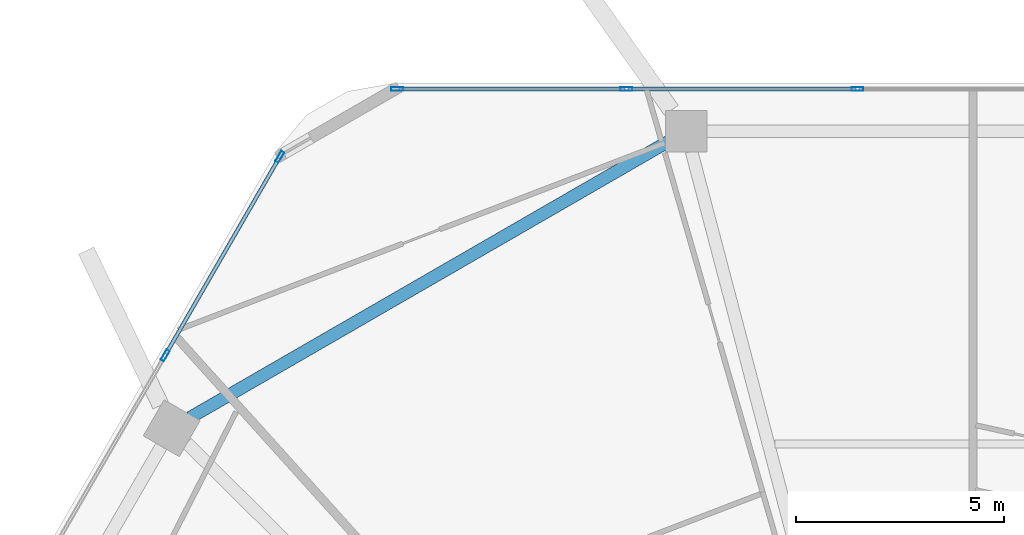
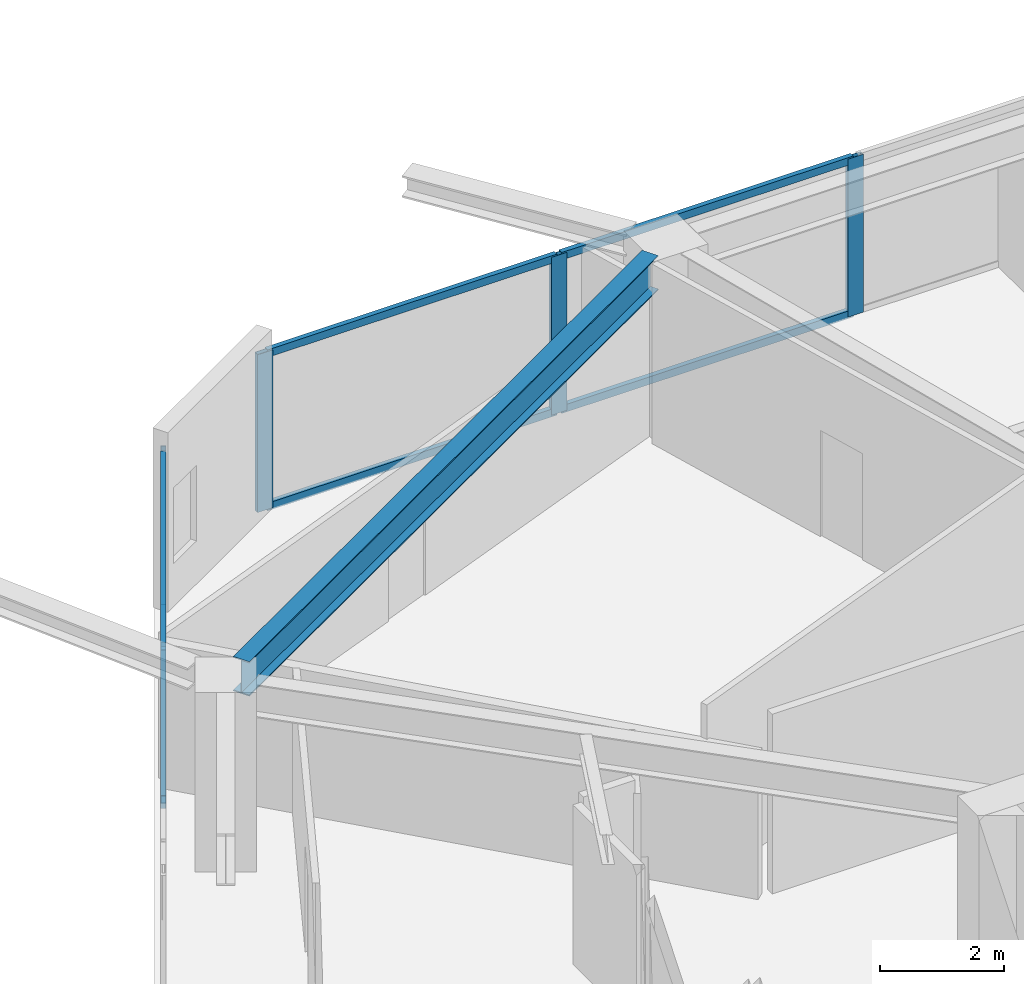
# One storey, part 13 of 26: 11 members, 1 beam, 2 elements without a shape of their own.
"""IFC4 building model written with IfcOpenShell, lengths in metres."""

from ifc_helpers import new_model, si_unit, direction, frame, origin, origin_2d, place, context, subcontext, project, spatial, hollow_rectangle, i_section, extrude, material, material_profile, profile_set, type_object, element, aggregate, save


model = new_model("IFC4")

# Units and contexts
model_context = context("Model", 3, precision=1e-05, world=origin(), true_north=direction((0.0, 1.0)))
body_context = subcontext(model_context, "Body", "Model", "MODEL_VIEW")
ifc_project = project(units=[si_unit("LENGTHUNIT", "METRE"), si_unit("AREAUNIT", "SQUARE_METRE"), si_unit("VOLUMEUNIT", "CUBIC_METRE"), si_unit("PLANEANGLEUNIT", "RADIAN"), si_unit("MASSUNIT", "GRAM", prefix="KILO")], contexts=[model_context])

# Site, building, storey
site_placement = place(None, origin())
site = spatial("IfcSite", under=ifc_project, at=site_placement, CompositionType="ELEMENT")
building_placement = place(site_placement, origin())
building = spatial("IfcBuilding", under=site, at=building_placement, Name="Zuhravey Tower", CompositionType="ELEMENT")
storey_placement = place(building_placement, frame((0.0, 0.0, 158.0)))
storey = spatial("IfcBuildingStorey", under=building, at=storey_placement, Name="L39", CompositionType="ELEMENT", Elevation=158.0)

# Curtain wall, members
ifc_material_1 = material(Name="Thermally broken anodised aluminium", Category="aluminium")
curtain_wall_type = type_object("IfcCurtainWallType", Name="Zone 1-2 Residential Curtain Wall CW3", PredefinedType="NOTDEFINED", material=ifc_material_1)
curtain_wall_1_placement = place(storey_placement, origin())
curtain_wall_1 = element("IfcCurtainWall", 1, at=curtain_wall_1_placement, inside=storey, type_object=curtain_wall_type, Name="L39 CW3 CW-L39-F3-1", PredefinedType="NOTDEFINED")
ifc_material_2 = material(Name="Anodised aluminium", Category="aluminium")
ifc_material_profile_1 = material_profile(ifc_material_2, hollow_rectangle(XDim=0.090087890625, YDim=0.284912109375, WallThickness=0.0048828125, at=origin_2d()), Name="ALU-RHS-90x285x5")
ifc_profile_set_1 = profile_set([ifc_material_profile_1], Name="Anodised aluminium")
member_type_1 = type_object("IfcMemberType", Name="Curtain-Wall Mullion 90x180", PredefinedType="MULLION", material=ifc_profile_set_1)
member_1_placement = place(storey_placement, frame((16.6171875, 52.7939453125, 0.0), z_axis=(0.0, 0.0, 1.0), x_axis=(-0.866025138215, 0.500000459979, 0.0)))
member_1 = element("IfcMember", 2, at=member_1_placement, type_object=member_type_1, Name="CW3 mullion 5", PredefinedType="MULLION", context=body_context, shape_type="SweptSolid", body=[
    extrude(hollow_rectangle(XDim=0.090087890625, YDim=0.284912109375, WallThickness=0.0048828125, at=origin_2d()), origin(), (0.0, 0.0, 1.0), 3.1220703125),
])
member_2_placement = place(storey_placement, frame((19.36669921875, 57.556640625, 0.0), z_axis=(0.0, 0.0, 1.0), x_axis=(-0.866025138215, 0.500000459979, 0.0)))
member_2 = element("IfcMember", 3, at=member_2_placement, type_object=member_type_1, Name="CW3 mullion 6", PredefinedType="MULLION", context=body_context, shape_type="SweptSolid", body=[
    extrude(hollow_rectangle(XDim=0.090087890625, YDim=0.284912109375, WallThickness=0.0048828125, at=origin_2d()), origin(), (0.0, 0.0, 1.0), 3.1220703125),
])

curtain_wall_2_placement = place(storey_placement, origin())
curtain_wall_2 = element("IfcCurtainWall", 4, at=curtain_wall_2_placement, inside=storey, type_object=curtain_wall_type, Name="L39 CW3 CW-L39-F2-1", PredefinedType="NOTDEFINED")
member_3_placement = place(storey_placement, frame((22.183837890625, 59.18310546875, 0.0), z_axis=(0.0, 0.0, 1.0), x_axis=(0.0, 1.0, 0.0)))
member_3 = element("IfcMember", 5, at=member_3_placement, type_object=member_type_1, Name="CW3 mullion 1", PredefinedType="MULLION", context=body_context, shape_type="SweptSolid", body=[
    extrude(hollow_rectangle(XDim=0.090087890625, YDim=0.284912109375, WallThickness=0.0048828125, at=origin_2d()), origin(), (0.0, 0.0, 1.0), 3.1220703125),
])
member_4_placement = place(storey_placement, frame((27.683349609375, 59.18310546875, 0.0), z_axis=(0.0, 0.0, 1.0), x_axis=(0.0, 1.0, 0.0)))
member_4 = element("IfcMember", 6, at=member_4_placement, type_object=member_type_1, Name="CW3 mullion 2", PredefinedType="MULLION", context=body_context, shape_type="SweptSolid", body=[
    extrude(hollow_rectangle(XDim=0.090087890625, YDim=0.284912109375, WallThickness=0.0048828125, at=origin_2d()), origin(), (0.0, 0.0, 1.0), 3.1220703125),
])
member_5_placement = place(storey_placement, frame((33.227783203125, 59.18310546875, 0.0), z_axis=(0.0, 0.0, 1.0), x_axis=(0.0, 1.0, 0.0)))
member_5 = element("IfcMember", 7, at=member_5_placement, type_object=member_type_1, Name="CW3 mullion 3", PredefinedType="MULLION", context=body_context, shape_type="SweptSolid", body=[
    extrude(hollow_rectangle(XDim=0.090087890625, YDim=0.284912109375, WallThickness=0.0048828125, at=origin_2d()), origin(), (0.0, 0.0, 1.0), 3.1220703125),
])

# Member
ifc_material_profile_2 = material_profile(ifc_material_2, hollow_rectangle(XDim=0.090087890625, YDim=0.14990234375, WallThickness=0.0048828125, at=origin_2d()), Name="ALU-RHS-90x150x5")
ifc_profile_set_2 = profile_set([ifc_material_profile_2], Name="Anodised aluminium")
member_type_2 = type_object("IfcMemberType", Name="Curtain-Wall Transom 90x150", PredefinedType="USERDEFINED", material=ifc_profile_set_2)
member_6_placement = place(storey_placement, frame((16.6396484375, 52.8330078125, 0.044921875), z_axis=(0.499993332629, 0.866029253159, 0.0), x_axis=(-0.866029253159, 0.499993332629, 0.0)))
member_6 = element("IfcMember", 8, at=member_6_placement, type_object=member_type_2, Name="CW3 transom 5.1", ObjectType="TRANSOM", PredefinedType="USERDEFINED", context=body_context, shape_type="SweptSolid", body=[
    extrude(hollow_rectangle(XDim=0.090087890625, YDim=0.14990234375, WallThickness=0.0048828125, at=origin_2d()), origin(), (0.0, 0.0, 1.0), 5.4091796875),
])

member_7_placement = place(storey_placement, frame((16.6396484375, 52.8330078125, 3.076904296875), z_axis=(0.499993332629, 0.866029253159, 0.0), x_axis=(-0.866029253159, 0.499993332629, 0.0)))
member_7 = element("IfcMember", 9, at=member_7_placement, type_object=member_type_2, Name="CW3 transom 5.2", ObjectType="TRANSOM", PredefinedType="USERDEFINED", context=body_context, shape_type="SweptSolid", body=[
    extrude(hollow_rectangle(XDim=0.090087890625, YDim=0.14990234375, WallThickness=0.0048828125, at=origin_2d()), origin(), (0.0, 0.0, 1.0), 5.4091796875),
])

aggregate(curtain_wall_1, [member_1, member_2, member_6, member_7])

member_8_placement = place(storey_placement, frame((22.22900390625, 59.18310546875, 0.044921875), z_axis=(1.0, 0.0, 0.0), x_axis=(0.0, 1.0, 0.0)))
member_8 = element("IfcMember", 10, at=member_8_placement, type_object=member_type_2, Name="CW3 transom 1.1", ObjectType="TRANSOM", PredefinedType="USERDEFINED", context=body_context, shape_type="SweptSolid", body=[
    extrude(hollow_rectangle(XDim=0.090087890625, YDim=0.14990234375, WallThickness=0.0048828125, at=origin_2d()), origin(), (0.0, 0.0, 1.0), 5.409423828125),
])

member_9_placement = place(storey_placement, frame((22.22900390625, 59.18310546875, 3.076904296875), z_axis=(1.0, 0.0, 0.0), x_axis=(0.0, 1.0, 0.0)))
member_9 = element("IfcMember", 11, at=member_9_placement, type_object=member_type_2, Name="CW3 transom 1.2", ObjectType="TRANSOM", PredefinedType="USERDEFINED", context=body_context, shape_type="SweptSolid", body=[
    extrude(hollow_rectangle(XDim=0.090087890625, YDim=0.14990234375, WallThickness=0.0048828125, at=origin_2d()), origin(), (0.0, 0.0, 1.0), 5.409423828125),
])

member_10_placement = place(storey_placement, frame((27.728271484375, 59.18310546875, 0.044921875), z_axis=(1.0, 0.0, 0.0), x_axis=(0.0, 1.0, 0.0)))
member_10 = element("IfcMember", 12, at=member_10_placement, type_object=member_type_2, Name="CW3 transom 2.1", ObjectType="TRANSOM", PredefinedType="USERDEFINED", context=body_context, shape_type="SweptSolid", body=[
    extrude(hollow_rectangle(XDim=0.090087890625, YDim=0.14990234375, WallThickness=0.0048828125, at=origin_2d()), origin(), (0.0, 0.0, 1.0), 5.45458984375),
])

member_11_placement = place(storey_placement, frame((27.728271484375, 59.18310546875, 3.076904296875), z_axis=(1.0, 0.0, 0.0), x_axis=(0.0, 1.0, 0.0)))
member_11 = element("IfcMember", 13, at=member_11_placement, type_object=member_type_2, Name="CW3 transom 2.2", ObjectType="TRANSOM", PredefinedType="USERDEFINED", context=body_context, shape_type="SweptSolid", body=[
    extrude(hollow_rectangle(XDim=0.090087890625, YDim=0.14990234375, WallThickness=0.0048828125, at=origin_2d()), origin(), (0.0, 0.0, 1.0), 5.45458984375),
])

aggregate(curtain_wall_2, [member_3, member_4, member_5, member_8, member_9, member_10, member_11])

# Beam
ifc_material_3 = material(Name="Steel SM355", Category="steel")
ifc_material_profile_3 = material_profile(ifc_material_3, i_section(OverallWidth=0.300048828125, OverallDepth=0.679931640625, WebThickness=0.012939453125, FlangeThickness=0.02197265625, at=origin_2d()), Name="H-680x300x13x22")
ifc_profile_set_3 = profile_set([ifc_material_profile_3], Name="Steel SM355")
beam_type = type_object("IfcBeamType", Name="Perimeter Ring Beam H680x300", PredefinedType="BEAM", material=ifc_profile_set_3)
beam_placement = place(storey_placement, frame((28.682373046875, 57.921630859375, 3.2099609375), z_axis=(-0.866022923061, -0.500004296715, 0.0), x_axis=(0.500004296715, -0.866022923061, 0.0)))
element("IfcBeam", 14, at=beam_placement, inside=storey, type_object=beam_type, Name="L39 PB2 BM-L39-PB-04", PredefinedType="BEAM", context=body_context, shape_type="SweptSolid", body=[
    extrude(i_section(OverallWidth=0.300048828125, OverallDepth=0.679931640625, WebThickness=0.012939453125, FlangeThickness=0.02197265625, at=origin_2d()), origin(), (0.0, 0.0, 1.0), 13.2470703125),
])

save(model, "model.ifc")
